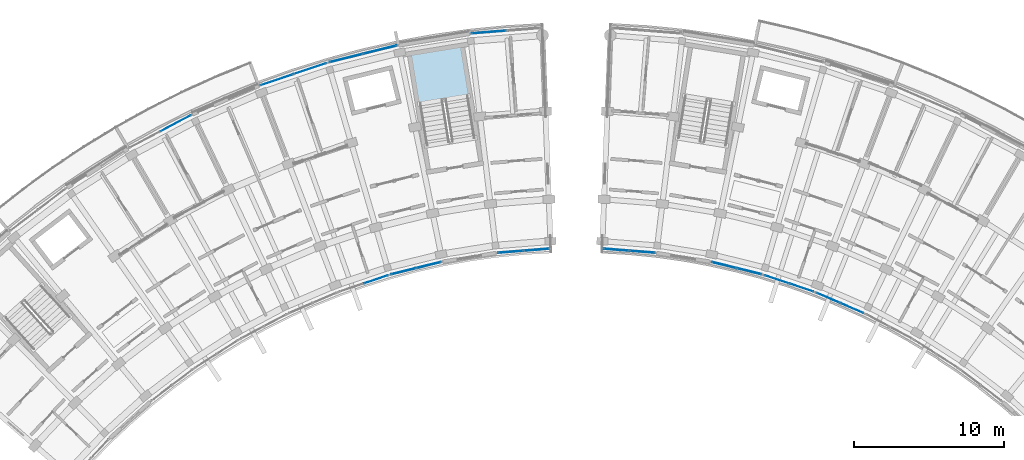
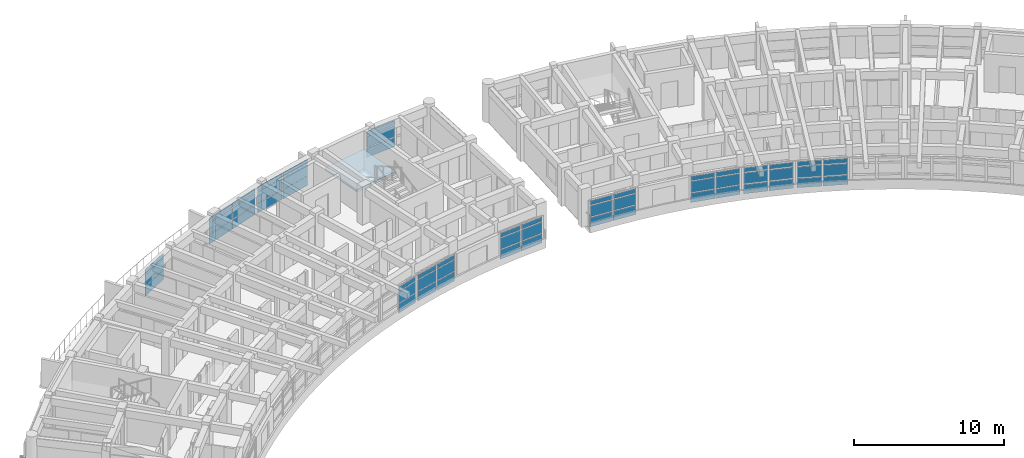
# One storey, part 21 of 54: 57 plates, 1 slab, 12 elements without a shape of their own.
"""IFC4 building model written with IfcOpenShell, lengths in metres."""

from ifc_helpers import new_model, si_unit, direction, frame, origin, origin_2d, place, context, subcontext, project, spatial, polyline, rectangle, outline, extrude, material, layer, layer_set, type_object, element, aggregate, save


model = new_model("IFC4")

# Units and contexts
model_context = context("Model", 3, precision=1e-05, world=origin(), true_north=direction((0.0, 1.0)))
body_context = subcontext(model_context, "Body", "Model", "MODEL_VIEW")
ifc_project = project(units=[si_unit("LENGTHUNIT", "METRE"), si_unit("AREAUNIT", "SQUARE_METRE"), si_unit("VOLUMEUNIT", "CUBIC_METRE"), si_unit("PLANEANGLEUNIT", "RADIAN"), si_unit("MASSUNIT", "GRAM", prefix="KILO")], contexts=[model_context])

# Site, building, storey
site_placement = place(None, origin())
site = spatial("IfcSite", under=ifc_project, at=site_placement, CompositionType="ELEMENT")
building_placement = place(site_placement, origin())
building = spatial("IfcBuilding", under=site, at=building_placement, Name="Zimvara Arc Housing Community", CompositionType="ELEMENT")
storey_placement = place(building_placement, frame((0.0, 0.0, 20.5)))
storey = spatial("IfcBuildingStorey", under=building, at=storey_placement, Name="L06", CompositionType="ELEMENT", Elevation=20.5)

# Curtain wall, plates
ifc_material_1 = material(Name="Anodised Aluminium AW-6063", Category="aluminium")
curtain_wall_type_1 = type_object("IfcCurtainWallType", Name="CW-SYS-04", PredefinedType="USERDEFINED", material=ifc_material_1)
curtain_wall_1_placement = place(storey_placement, origin())
curtain_wall_1 = element("IfcCurtainWall", 1, at=curtain_wall_1_placement, inside=storey, type_object=curtain_wall_type_1, Name="cw:blkA:L06:in:b7", ObjectType="CURTAIN WALL", PredefinedType="USERDEFINED")
ifc_material_2 = material(Name="Pale-Gold Anodised Aluminium Spandrel Panel", Category="aluminium")
ifc_layer_1 = layer(ifc_material_2, 0.035888671875)
ifc_layer_set_1 = layer_set([ifc_layer_1], Name="Pale-Gold Anodised Aluminium Spandrel Panel")
plate_type_1 = type_object("IfcPlateType", Name="CWP-GLD-36", PredefinedType="CURTAIN_PANEL", material=ifc_layer_set_1)
plate_1_placement = place(storey_placement, frame((33.45068359375, 87.569580078125, 0.06494140625), z_axis=(0.0, 0.0, 1.0), x_axis=(0.970716537698, 0.240227815706, 0.0)))
plate_1 = element("IfcPlate", 2, at=plate_1_placement, type_object=plate_type_1, Name="CW04 panel 1.1", PredefinedType="CURTAIN_PANEL", context=body_context, shape_type="SweptSolid", body=[
    extrude(rectangle(XDim=1.664306640625, YDim=0.035888671875, at=origin_2d()), origin(), (0.0, 0.0, 1.0), 0.75244140625),
])
plate_2_placement = place(storey_placement, frame((33.45068359375, 87.569580078125, 0.88232421875), z_axis=(0.0, 0.0, 1.0), x_axis=(0.970716537698, 0.240227815706, 0.0)))
plate_2 = element("IfcPlate", 3, at=plate_2_placement, type_object=plate_type_1, Name="CW04 panel 1.2", PredefinedType="CURTAIN_PANEL", context=body_context, shape_type="SweptSolid", body=[
    extrude(rectangle(XDim=1.664306640625, YDim=0.035888671875, at=origin_2d()), origin(), (0.0, 0.0, 1.0), 0.885009765625),
])
plate_3_placement = place(storey_placement, frame((33.45068359375, 87.569580078125, 1.83251953125), z_axis=(0.0, 0.0, 1.0), x_axis=(0.970716537698, 0.240227815706, 0.0)))
plate_3 = element("IfcPlate", 4, at=plate_3_placement, type_object=plate_type_1, Name="CW04 panel 1.3", PredefinedType="CURTAIN_PANEL", context=body_context, shape_type="SweptSolid", body=[
    extrude(rectangle(XDim=1.664306640625, YDim=0.035888671875, at=origin_2d()), origin(), (0.0, 0.0, 1.0), 0.3525390625),
])
plate_4_placement = place(storey_placement, frame((35.12939453125, 87.98486328125, 0.06494140625), z_axis=(0.0, 0.0, 1.0), x_axis=(0.970716537698, 0.240227815706, 0.0)))
plate_4 = element("IfcPlate", 5, at=plate_4_placement, type_object=plate_type_1, Name="CW04 panel 2.1", PredefinedType="CURTAIN_PANEL", context=body_context, shape_type="SweptSolid", body=[
    extrude(rectangle(XDim=1.664306640625, YDim=0.035888671875, at=origin_2d()), origin(), (0.0, 0.0, 1.0), 0.75244140625),
])
plate_5_placement = place(storey_placement, frame((35.12939453125, 87.98486328125, 0.88232421875), z_axis=(0.0, 0.0, 1.0), x_axis=(0.970716537698, 0.240227815706, 0.0)))
plate_5 = element("IfcPlate", 6, at=plate_5_placement, type_object=plate_type_1, Name="CW04 panel 2.2", PredefinedType="CURTAIN_PANEL", context=body_context, shape_type="SweptSolid", body=[
    extrude(rectangle(XDim=1.664306640625, YDim=0.035888671875, at=origin_2d()), origin(), (0.0, 0.0, 1.0), 0.885009765625),
])
plate_6_placement = place(storey_placement, frame((35.12939453125, 87.98486328125, 1.83251953125), z_axis=(0.0, 0.0, 1.0), x_axis=(0.970716537698, 0.240227815706, 0.0)))
plate_6 = element("IfcPlate", 7, at=plate_6_placement, type_object=plate_type_1, Name="CW04 panel 2.3", PredefinedType="CURTAIN_PANEL", context=body_context, shape_type="SweptSolid", body=[
    extrude(rectangle(XDim=1.664306640625, YDim=0.035888671875, at=origin_2d()), origin(), (0.0, 0.0, 1.0), 0.3525390625),
])
aggregate(curtain_wall_1, [plate_1, plate_2, plate_3, plate_4, plate_5, plate_6])

curtain_wall_2_placement = place(storey_placement, origin())
curtain_wall_2 = element("IfcCurtainWall", 8, at=curtain_wall_2_placement, inside=storey, type_object=curtain_wall_type_1, Name="cw:blkB:L06:in:b2", ObjectType="CURTAIN WALL", PredefinedType="USERDEFINED")
plate_7_placement = place(storey_placement, frame((54.87060546875, 87.98486328125, 0.06494140625), z_axis=(0.0, 0.0, 1.0), x_axis=(0.970716537698, -0.240227815706, 0.0)))
plate_7 = element("IfcPlate", 9, at=plate_7_placement, type_object=plate_type_1, Name="CW04 panel 1.1", PredefinedType="CURTAIN_PANEL", context=body_context, shape_type="SweptSolid", body=[
    extrude(rectangle(XDim=1.664306640625, YDim=0.035888671875, at=origin_2d()), origin(), (0.0, 0.0, 1.0), 0.75244140625),
])
plate_8_placement = place(storey_placement, frame((54.87060546875, 87.98486328125, 0.88232421875), z_axis=(0.0, 0.0, 1.0), x_axis=(0.970716537698, -0.240227815706, 0.0)))
plate_8 = element("IfcPlate", 10, at=plate_8_placement, type_object=plate_type_1, Name="CW04 panel 1.2", PredefinedType="CURTAIN_PANEL", context=body_context, shape_type="SweptSolid", body=[
    extrude(rectangle(XDim=1.664306640625, YDim=0.035888671875, at=origin_2d()), origin(), (0.0, 0.0, 1.0), 0.885009765625),
])
plate_9_placement = place(storey_placement, frame((54.87060546875, 87.98486328125, 1.83251953125), z_axis=(0.0, 0.0, 1.0), x_axis=(0.970716537698, -0.240227815706, 0.0)))
plate_9 = element("IfcPlate", 11, at=plate_9_placement, type_object=plate_type_1, Name="CW04 panel 1.3", PredefinedType="CURTAIN_PANEL", context=body_context, shape_type="SweptSolid", body=[
    extrude(rectangle(XDim=1.664306640625, YDim=0.035888671875, at=origin_2d()), origin(), (0.0, 0.0, 1.0), 0.3525390625),
])
plate_10_placement = place(storey_placement, frame((56.54931640625, 87.569580078125, 0.06494140625), z_axis=(0.0, 0.0, 1.0), x_axis=(0.970716537698, -0.240227815706, 0.0)))
plate_10 = element("IfcPlate", 12, at=plate_10_placement, type_object=plate_type_1, Name="CW04 panel 2.1", PredefinedType="CURTAIN_PANEL", context=body_context, shape_type="SweptSolid", body=[
    extrude(rectangle(XDim=1.664306640625, YDim=0.035888671875, at=origin_2d()), origin(), (0.0, 0.0, 1.0), 0.75244140625),
])
plate_11_placement = place(storey_placement, frame((56.54931640625, 87.569580078125, 0.88232421875), z_axis=(0.0, 0.0, 1.0), x_axis=(0.970716537698, -0.240227815706, 0.0)))
plate_11 = element("IfcPlate", 13, at=plate_11_placement, type_object=plate_type_1, Name="CW04 panel 2.2", PredefinedType="CURTAIN_PANEL", context=body_context, shape_type="SweptSolid", body=[
    extrude(rectangle(XDim=1.664306640625, YDim=0.035888671875, at=origin_2d()), origin(), (0.0, 0.0, 1.0), 0.885009765625),
])
plate_12_placement = place(storey_placement, frame((56.54931640625, 87.569580078125, 1.83251953125), z_axis=(0.0, 0.0, 1.0), x_axis=(0.970716537698, -0.240227815706, 0.0)))
plate_12 = element("IfcPlate", 14, at=plate_12_placement, type_object=plate_type_1, Name="CW04 panel 2.3", PredefinedType="CURTAIN_PANEL", context=body_context, shape_type="SweptSolid", body=[
    extrude(rectangle(XDim=1.664306640625, YDim=0.035888671875, at=origin_2d()), origin(), (0.0, 0.0, 1.0), 0.3525390625),
])
aggregate(curtain_wall_2, [plate_7, plate_8, plate_9, plate_10, plate_11, plate_12])

ifc_material_3 = material(Name="Anodised Aluminium AW-6063", Category="aluminium")
curtain_wall_type_2 = type_object("IfcCurtainWallType", Name="CW-SYS-01", PredefinedType="USERDEFINED", material=ifc_material_3)
curtain_wall_3_placement = place(storey_placement, origin())
curtain_wall_3 = element("IfcCurtainWall", 15, at=curtain_wall_3_placement, inside=storey, type_object=curtain_wall_type_2, Name="cw:blkA:L06:out:b6", ObjectType="CURTAIN WALL", PredefinedType="USERDEFINED")
ifc_material_4 = material(Name="Solar Control Low-E Double Glazing", Category="glass")
ifc_layer_2 = layer(ifc_material_4, 0.02392578125)
ifc_layer_set_2 = layer_set([ifc_layer_2], Name="Solar Control Low-E Double Glazing")
plate_type_2 = type_object("IfcPlateType", Name="CWP-GLZ-24", PredefinedType="CURTAIN_PANEL", material=ifc_layer_set_2)
plate_13_placement = place(storey_placement, frame((24.990478515625, 100.36669921875, 0.06494140625), z_axis=(0.0, 0.0, 1.0), x_axis=(0.947879647164, 0.318628583921, 0.0)))
plate_13 = element("IfcPlate", 16, at=plate_13_placement, type_object=plate_type_2, Name="CW01 panel 1.1", PredefinedType="CURTAIN_PANEL", context=body_context, shape_type="SweptSolid", body=[
    extrude(rectangle(XDim=2.266845703125, YDim=0.02392578125, at=origin_2d()), origin(), (0.0, 0.0, 1.0), 0.75244140625),
])
plate_14_placement = place(storey_placement, frame((24.990478515625, 100.36669921875, 0.88232421875), z_axis=(0.0, 0.0, 1.0), x_axis=(0.947879647164, 0.318628583921, 0.0)))
plate_14 = element("IfcPlate", 17, at=plate_14_placement, type_object=plate_type_2, Name="CW01 panel 1.2", PredefinedType="CURTAIN_PANEL", context=body_context, shape_type="SweptSolid", body=[
    extrude(rectangle(XDim=2.266845703125, YDim=0.02392578125, at=origin_2d()), origin(), (0.0, 0.0, 1.0), 0.885009765625),
])
plate_15_placement = place(storey_placement, frame((24.990478515625, 100.36669921875, 1.83251953125), z_axis=(0.0, 0.0, 1.0), x_axis=(0.947879647164, 0.318628583921, 0.0)))
plate_15 = element("IfcPlate", 18, at=plate_15_placement, type_object=plate_type_2, Name="CW01 panel 1.3", PredefinedType="CURTAIN_PANEL", context=body_context, shape_type="SweptSolid", body=[
    extrude(rectangle(XDim=2.266845703125, YDim=0.02392578125, at=origin_2d()), origin(), (0.0, 0.0, 1.0), 0.3525390625),
])
plate_16_placement = place(storey_placement, frame((27.200927734375, 101.109619140625, 0.06494140625), z_axis=(0.0, 0.0, 1.0), x_axis=(0.947879647164, 0.318628583921, 0.0)))
plate_16 = element("IfcPlate", 19, at=plate_16_placement, type_object=plate_type_2, Name="CW01 panel 2.1", PredefinedType="CURTAIN_PANEL", context=body_context, shape_type="SweptSolid", body=[
    extrude(rectangle(XDim=2.266845703125, YDim=0.02392578125, at=origin_2d()), origin(), (0.0, 0.0, 1.0), 0.75244140625),
])
plate_17_placement = place(storey_placement, frame((27.200927734375, 101.109619140625, 0.88232421875), z_axis=(0.0, 0.0, 1.0), x_axis=(0.947879647164, 0.318628583921, 0.0)))
plate_17 = element("IfcPlate", 20, at=plate_17_placement, type_object=plate_type_2, Name="CW01 panel 2.2", PredefinedType="CURTAIN_PANEL", context=body_context, shape_type="SweptSolid", body=[
    extrude(rectangle(XDim=2.266845703125, YDim=0.02392578125, at=origin_2d()), origin(), (0.0, 0.0, 1.0), 0.885009765625),
])
plate_18_placement = place(storey_placement, frame((27.200927734375, 101.109619140625, 1.83251953125), z_axis=(0.0, 0.0, 1.0), x_axis=(0.947879647164, 0.318628583921, 0.0)))
plate_18 = element("IfcPlate", 21, at=plate_18_placement, type_object=plate_type_2, Name="CW01 panel 2.3", PredefinedType="CURTAIN_PANEL", context=body_context, shape_type="SweptSolid", body=[
    extrude(rectangle(XDim=2.266845703125, YDim=0.02392578125, at=origin_2d()), origin(), (0.0, 0.0, 1.0), 0.3525390625),
])
aggregate(curtain_wall_3, [plate_13, plate_14, plate_15, plate_16, plate_17, plate_18])

ifc_material_5 = material(Name="Anodised Aluminium AW-6063", Category="aluminium")
curtain_wall_type_3 = type_object("IfcCurtainWallType", Name="CW-SYS-05", PredefinedType="USERDEFINED", material=ifc_material_5)
curtain_wall_4_placement = place(storey_placement, origin())
curtain_wall_4 = element("IfcCurtainWall", 22, at=curtain_wall_4_placement, inside=storey, type_object=curtain_wall_type_3, Name="cw:blkA:L06:out:b9", ObjectType="CURTAIN WALL", PredefinedType="USERDEFINED")
plate_19_placement = place(storey_placement, frame((39.141357421875, 103.552001953125, 0.06494140625), z_axis=(0.0, 0.0, 1.0), x_axis=(0.996862418963, 0.079153759607, 0.0)))
plate_19 = element("IfcPlate", 23, at=plate_19_placement, type_object=plate_type_2, Name="CW05 panel 1.1", PredefinedType="CURTAIN_PANEL", context=body_context, shape_type="SweptSolid", body=[
    extrude(rectangle(XDim=2.266845703125, YDim=0.02392578125, at=origin_2d()), origin(), (0.0, 0.0, 1.0), 0.75244140625),
])
plate_20_placement = place(storey_placement, frame((39.141357421875, 103.552001953125, 0.88232421875), z_axis=(0.0, 0.0, 1.0), x_axis=(0.996862418963, 0.079153759607, 0.0)))
plate_20 = element("IfcPlate", 24, at=plate_20_placement, type_object=plate_type_2, Name="CW05 panel 1.2", PredefinedType="CURTAIN_PANEL", context=body_context, shape_type="SweptSolid", body=[
    extrude(rectangle(XDim=2.266845703125, YDim=0.02392578125, at=origin_2d()), origin(), (0.0, 0.0, 1.0), 0.885009765625),
])
plate_21_placement = place(storey_placement, frame((39.141357421875, 103.552001953125, 1.83251953125), z_axis=(0.0, 0.0, 1.0), x_axis=(0.996862418963, 0.079153759607, 0.0)))
plate_21 = element("IfcPlate", 25, at=plate_21_placement, type_object=plate_type_2, Name="CW05 panel 1.3", PredefinedType="CURTAIN_PANEL", context=body_context, shape_type="SweptSolid", body=[
    extrude(rectangle(XDim=2.266845703125, YDim=0.02392578125, at=origin_2d()), origin(), (0.0, 0.0, 1.0), 0.3525390625),
])
aggregate(curtain_wall_4, [plate_19, plate_20, plate_21])

curtain_wall_5_placement = place(storey_placement, origin())
curtain_wall_5 = element("IfcCurtainWall", 26, at=curtain_wall_5_placement, inside=storey, type_object=curtain_wall_type_3, Name="cw:blkB:L06:in:b3", ObjectType="CURTAIN WALL", PredefinedType="USERDEFINED")
plate_22_placement = place(storey_placement, frame((58.3857421875, 87.03466796875, 0.06494140625), z_axis=(0.0, 0.0, 1.0), x_axis=(0.94787908732, -0.318630249383, 0.0)))
plate_22 = element("IfcPlate", 27, at=plate_22_placement, type_object=plate_type_2, Name="CW05 panel 1.1", PredefinedType="CURTAIN_PANEL", context=body_context, shape_type="SweptSolid", body=[
    extrude(rectangle(XDim=1.664306640625, YDim=0.02392578125, at=origin_2d()), origin(), (0.0, 0.0, 1.0), 0.75244140625),
])
plate_23_placement = place(storey_placement, frame((58.3857421875, 87.03466796875, 0.88232421875), z_axis=(0.0, 0.0, 1.0), x_axis=(0.94787908732, -0.318630249383, 0.0)))
plate_23 = element("IfcPlate", 28, at=plate_23_placement, type_object=plate_type_2, Name="CW05 panel 1.2", PredefinedType="CURTAIN_PANEL", context=body_context, shape_type="SweptSolid", body=[
    extrude(rectangle(XDim=1.664306640625, YDim=0.02392578125, at=origin_2d()), origin(), (0.0, 0.0, 1.0), 0.885009765625),
])
plate_24_placement = place(storey_placement, frame((58.3857421875, 87.03466796875, 1.83251953125), z_axis=(0.0, 0.0, 1.0), x_axis=(0.94787908732, -0.318630249383, 0.0)))
plate_24 = element("IfcPlate", 29, at=plate_24_placement, type_object=plate_type_2, Name="CW05 panel 1.3", PredefinedType="CURTAIN_PANEL", context=body_context, shape_type="SweptSolid", body=[
    extrude(rectangle(XDim=1.664306640625, YDim=0.02392578125, at=origin_2d()), origin(), (0.0, 0.0, 1.0), 0.3525390625),
])
plate_25_placement = place(storey_placement, frame((60.02490234375, 86.483642578125, 0.06494140625), z_axis=(0.0, 0.0, 1.0), x_axis=(0.94787908732, -0.318630249383, 0.0)))
plate_25 = element("IfcPlate", 30, at=plate_25_placement, type_object=plate_type_2, Name="CW05 panel 2.1", PredefinedType="CURTAIN_PANEL", context=body_context, shape_type="SweptSolid", body=[
    extrude(rectangle(XDim=1.664306640625, YDim=0.02392578125, at=origin_2d()), origin(), (0.0, 0.0, 1.0), 0.75244140625),
])
plate_26_placement = place(storey_placement, frame((60.02490234375, 86.483642578125, 0.88232421875), z_axis=(0.0, 0.0, 1.0), x_axis=(0.94787908732, -0.318630249383, 0.0)))
plate_26 = element("IfcPlate", 31, at=plate_26_placement, type_object=plate_type_2, Name="CW05 panel 2.2", PredefinedType="CURTAIN_PANEL", context=body_context, shape_type="SweptSolid", body=[
    extrude(rectangle(XDim=1.664306640625, YDim=0.02392578125, at=origin_2d()), origin(), (0.0, 0.0, 1.0), 0.885009765625),
])
plate_27_placement = place(storey_placement, frame((60.02490234375, 86.483642578125, 1.83251953125), z_axis=(0.0, 0.0, 1.0), x_axis=(0.94787908732, -0.318630249383, 0.0)))
plate_27 = element("IfcPlate", 32, at=plate_27_placement, type_object=plate_type_2, Name="CW05 panel 2.3", PredefinedType="CURTAIN_PANEL", context=body_context, shape_type="SweptSolid", body=[
    extrude(rectangle(XDim=1.664306640625, YDim=0.02392578125, at=origin_2d()), origin(), (0.0, 0.0, 1.0), 0.3525390625),
])
aggregate(curtain_wall_5, [plate_22, plate_23, plate_24, plate_25, plate_26, plate_27])

ifc_material_6 = material(Name="Anodised Aluminium AW-6063", Category="aluminium")
curtain_wall_type_4 = type_object("IfcCurtainWallType", Name="CW-SYS-06", PredefinedType="USERDEFINED", material=ifc_material_6)
curtain_wall_6_placement = place(storey_placement, origin())
curtain_wall_6 = element("IfcCurtainWall", 33, at=curtain_wall_6_placement, inside=storey, type_object=curtain_wall_type_4, Name="cw:blkA:L06:out:b4", ObjectType="CURTAIN WALL", PredefinedType="USERDEFINED")
ifc_material_7 = material(Name="Solar Control Low-E Double Glazing", Category="glass")
ifc_layer_3 = layer(ifc_material_7, 0.028076171875)
ifc_layer_set_3 = layer_set([ifc_layer_3], Name="Solar Control Low-E Double Glazing")
plate_type_3 = type_object("IfcPlateType", Name="CWP-GLZ-28", PredefinedType="CURTAIN_PANEL", material=ifc_layer_set_3)
plate_28_placement = place(storey_placement, frame((18.23095703125, 97.461181640625, 0.06494140625), z_axis=(0.0, 0.0, 1.0), x_axis=(0.883438614651, 0.468546917761, 0.0)))
plate_28 = element("IfcPlate", 34, at=plate_28_placement, type_object=plate_type_3, Name="CW06 panel 2.1", PredefinedType="CURTAIN_PANEL", context=body_context, shape_type="SweptSolid", body=[
    extrude(rectangle(XDim=2.266845703125, YDim=0.028076171875, at=origin_2d()), origin(), (0.0, 0.0, 1.0), 0.75244140625),
])
plate_29_placement = place(storey_placement, frame((18.23095703125, 97.461181640625, 0.88232421875), z_axis=(0.0, 0.0, 1.0), x_axis=(0.883438614651, 0.468546917761, 0.0)))
plate_29 = element("IfcPlate", 35, at=plate_29_placement, type_object=plate_type_3, Name="CW06 panel 2.2", PredefinedType="CURTAIN_PANEL", context=body_context, shape_type="SweptSolid", body=[
    extrude(rectangle(XDim=2.266845703125, YDim=0.028076171875, at=origin_2d()), origin(), (0.0, 0.0, 1.0), 0.885009765625),
])
plate_30_placement = place(storey_placement, frame((18.23095703125, 97.461181640625, 1.83251953125), z_axis=(0.0, 0.0, 1.0), x_axis=(0.883438614651, 0.468546917761, 0.0)))
plate_30 = element("IfcPlate", 36, at=plate_30_placement, type_object=plate_type_3, Name="CW06 panel 2.3", PredefinedType="CURTAIN_PANEL", context=body_context, shape_type="SweptSolid", body=[
    extrude(rectangle(XDim=2.266845703125, YDim=0.028076171875, at=origin_2d()), origin(), (0.0, 0.0, 1.0), 0.3525390625),
])
aggregate(curtain_wall_6, [plate_28, plate_29, plate_30])

ifc_material_8 = material(Name="Anodised Aluminium AW-6063", Category="aluminium")
curtain_wall_type_5 = type_object("IfcCurtainWallType", Name="CW-SYS-02", PredefinedType="USERDEFINED", material=ifc_material_8)
curtain_wall_7_placement = place(storey_placement, origin())
curtain_wall_7 = element("IfcCurtainWall", 37, at=curtain_wall_7_placement, inside=storey, type_object=curtain_wall_type_5, Name="cw:blkA:L06:in:b6", ObjectType="CURTAIN WALL", PredefinedType="USERDEFINED")
plate_31_placement = place(storey_placement, frame((31.6142578125, 87.03466796875, 0.06494140625), z_axis=(0.0, 0.0, 1.0), x_axis=(0.94787908732, 0.318630249383, 0.0)))
plate_31 = element("IfcPlate", 38, at=plate_31_placement, type_object=plate_type_3, Name="CW02 panel 2.1", PredefinedType="CURTAIN_PANEL", context=body_context, shape_type="SweptSolid", body=[
    extrude(rectangle(XDim=1.664306640625, YDim=0.028076171875, at=origin_2d()), origin(), (0.0, 0.0, 1.0), 0.75244140625),
])
plate_32_placement = place(storey_placement, frame((31.6142578125, 87.03466796875, 0.88232421875), z_axis=(0.0, 0.0, 1.0), x_axis=(0.94787908732, 0.318630249383, 0.0)))
plate_32 = element("IfcPlate", 39, at=plate_32_placement, type_object=plate_type_3, Name="CW02 panel 2.2", PredefinedType="CURTAIN_PANEL", context=body_context, shape_type="SweptSolid", body=[
    extrude(rectangle(XDim=1.664306640625, YDim=0.028076171875, at=origin_2d()), origin(), (0.0, 0.0, 1.0), 0.885009765625),
])
plate_33_placement = place(storey_placement, frame((31.6142578125, 87.03466796875, 1.83251953125), z_axis=(0.0, 0.0, 1.0), x_axis=(0.94787908732, 0.318630249383, 0.0)))
plate_33 = element("IfcPlate", 40, at=plate_33_placement, type_object=plate_type_3, Name="CW02 panel 2.3", PredefinedType="CURTAIN_PANEL", context=body_context, shape_type="SweptSolid", body=[
    extrude(rectangle(XDim=1.664306640625, YDim=0.028076171875, at=origin_2d()), origin(), (0.0, 0.0, 1.0), 0.3525390625),
])
aggregate(curtain_wall_7, [plate_31, plate_32, plate_33])

curtain_wall_8_placement = place(storey_placement, origin())
curtain_wall_8 = element("IfcCurtainWall", 41, at=curtain_wall_8_placement, inside=storey, type_object=curtain_wall_type_4, Name="cw:blkA:L06:in:b9", ObjectType="CURTAIN WALL", PredefinedType="USERDEFINED")
plate_34_placement = place(storey_placement, frame((40.609130859375, 88.87451171875, 0.06494140625), z_axis=(0.0, 0.0, 1.0), x_axis=(0.996862343506, 0.079154709897, 0.0)))
plate_34 = element("IfcPlate", 42, at=plate_34_placement, type_object=plate_type_3, Name="CW06 panel 1.1", PredefinedType="CURTAIN_PANEL", context=body_context, shape_type="SweptSolid", body=[
    extrude(rectangle(XDim=1.664306640625, YDim=0.028076171875, at=origin_2d()), origin(), (0.0, 0.0, 1.0), 0.75244140625),
])
plate_35_placement = place(storey_placement, frame((40.609130859375, 88.87451171875, 0.88232421875), z_axis=(0.0, 0.0, 1.0), x_axis=(0.996862343506, 0.079154709897, 0.0)))
plate_35 = element("IfcPlate", 43, at=plate_35_placement, type_object=plate_type_3, Name="CW06 panel 1.2", PredefinedType="CURTAIN_PANEL", context=body_context, shape_type="SweptSolid", body=[
    extrude(rectangle(XDim=1.664306640625, YDim=0.028076171875, at=origin_2d()), origin(), (0.0, 0.0, 1.0), 0.885009765625),
])
plate_36_placement = place(storey_placement, frame((40.609130859375, 88.87451171875, 1.83251953125), z_axis=(0.0, 0.0, 1.0), x_axis=(0.996862343506, 0.079154709897, 0.0)))
plate_36 = element("IfcPlate", 44, at=plate_36_placement, type_object=plate_type_3, Name="CW06 panel 1.3", PredefinedType="CURTAIN_PANEL", context=body_context, shape_type="SweptSolid", body=[
    extrude(rectangle(XDim=1.664306640625, YDim=0.028076171875, at=origin_2d()), origin(), (0.0, 0.0, 1.0), 0.3525390625),
])
plate_37_placement = place(storey_placement, frame((42.3330078125, 89.01123046875, 0.06494140625), z_axis=(0.0, 0.0, 1.0), x_axis=(0.996862343506, 0.079154709897, 0.0)))
plate_37 = element("IfcPlate", 45, at=plate_37_placement, type_object=plate_type_3, Name="CW06 panel 2.1", PredefinedType="CURTAIN_PANEL", context=body_context, shape_type="SweptSolid", body=[
    extrude(rectangle(XDim=1.664306640625, YDim=0.028076171875, at=origin_2d()), origin(), (0.0, 0.0, 1.0), 0.75244140625),
])
plate_38_placement = place(storey_placement, frame((42.3330078125, 89.01123046875, 0.88232421875), z_axis=(0.0, 0.0, 1.0), x_axis=(0.996862343506, 0.079154709897, 0.0)))
plate_38 = element("IfcPlate", 46, at=plate_38_placement, type_object=plate_type_3, Name="CW06 panel 2.2", PredefinedType="CURTAIN_PANEL", context=body_context, shape_type="SweptSolid", body=[
    extrude(rectangle(XDim=1.664306640625, YDim=0.028076171875, at=origin_2d()), origin(), (0.0, 0.0, 1.0), 0.885009765625),
])
plate_39_placement = place(storey_placement, frame((42.3330078125, 89.01123046875, 1.83251953125), z_axis=(0.0, 0.0, 1.0), x_axis=(0.996862343506, 0.079154709897, 0.0)))
plate_39 = element("IfcPlate", 47, at=plate_39_placement, type_object=plate_type_3, Name="CW06 panel 2.3", PredefinedType="CURTAIN_PANEL", context=body_context, shape_type="SweptSolid", body=[
    extrude(rectangle(XDim=1.664306640625, YDim=0.028076171875, at=origin_2d()), origin(), (0.0, 0.0, 1.0), 0.3525390625),
])
aggregate(curtain_wall_8, [plate_34, plate_35, plate_36, plate_37, plate_38, plate_39])

curtain_wall_9_placement = place(storey_placement, origin())
curtain_wall_9 = element("IfcCurtainWall", 48, at=curtain_wall_9_placement, inside=storey, type_object=curtain_wall_type_5, Name="cw:blkB:L06:in:b0", ObjectType="CURTAIN WALL", PredefinedType="USERDEFINED")
plate_40_placement = place(storey_placement, frame((47.6669921875, 89.01123046875, 0.06494140625), z_axis=(0.0, 0.0, 1.0), x_axis=(0.996862343506, -0.079154709897, 0.0)))
plate_40 = element("IfcPlate", 49, at=plate_40_placement, type_object=plate_type_3, Name="CW02 panel 1.1", PredefinedType="CURTAIN_PANEL", context=body_context, shape_type="SweptSolid", body=[
    extrude(rectangle(XDim=1.664306640625, YDim=0.028076171875, at=origin_2d()), origin(), (0.0, 0.0, 1.0), 0.75244140625),
])
plate_41_placement = place(storey_placement, frame((47.6669921875, 89.01123046875, 0.88232421875), z_axis=(0.0, 0.0, 1.0), x_axis=(0.996862343506, -0.079154709897, 0.0)))
plate_41 = element("IfcPlate", 50, at=plate_41_placement, type_object=plate_type_3, Name="CW02 panel 1.2", PredefinedType="CURTAIN_PANEL", context=body_context, shape_type="SweptSolid", body=[
    extrude(rectangle(XDim=1.664306640625, YDim=0.028076171875, at=origin_2d()), origin(), (0.0, 0.0, 1.0), 0.885009765625),
])
plate_42_placement = place(storey_placement, frame((47.6669921875, 89.01123046875, 1.83251953125), z_axis=(0.0, 0.0, 1.0), x_axis=(0.996862343506, -0.079154709897, 0.0)))
plate_42 = element("IfcPlate", 51, at=plate_42_placement, type_object=plate_type_3, Name="CW02 panel 1.3", PredefinedType="CURTAIN_PANEL", context=body_context, shape_type="SweptSolid", body=[
    extrude(rectangle(XDim=1.664306640625, YDim=0.028076171875, at=origin_2d()), origin(), (0.0, 0.0, 1.0), 0.3525390625),
])
plate_43_placement = place(storey_placement, frame((49.390869140625, 88.87451171875, 0.06494140625), z_axis=(0.0, 0.0, 1.0), x_axis=(0.996862343506, -0.079154709897, 0.0)))
plate_43 = element("IfcPlate", 52, at=plate_43_placement, type_object=plate_type_3, Name="CW02 panel 2.1", PredefinedType="CURTAIN_PANEL", context=body_context, shape_type="SweptSolid", body=[
    extrude(rectangle(XDim=1.664306640625, YDim=0.028076171875, at=origin_2d()), origin(), (0.0, 0.0, 1.0), 0.75244140625),
])
plate_44_placement = place(storey_placement, frame((49.390869140625, 88.87451171875, 0.88232421875), z_axis=(0.0, 0.0, 1.0), x_axis=(0.996862343506, -0.079154709897, 0.0)))
plate_44 = element("IfcPlate", 53, at=plate_44_placement, type_object=plate_type_3, Name="CW02 panel 2.2", PredefinedType="CURTAIN_PANEL", context=body_context, shape_type="SweptSolid", body=[
    extrude(rectangle(XDim=1.664306640625, YDim=0.028076171875, at=origin_2d()), origin(), (0.0, 0.0, 1.0), 0.885009765625),
])
plate_45_placement = place(storey_placement, frame((49.390869140625, 88.87451171875, 1.83251953125), z_axis=(0.0, 0.0, 1.0), x_axis=(0.996862343506, -0.079154709897, 0.0)))
plate_45 = element("IfcPlate", 54, at=plate_45_placement, type_object=plate_type_3, Name="CW02 panel 2.3", PredefinedType="CURTAIN_PANEL", context=body_context, shape_type="SweptSolid", body=[
    extrude(rectangle(XDim=1.664306640625, YDim=0.028076171875, at=origin_2d()), origin(), (0.0, 0.0, 1.0), 0.3525390625),
])
aggregate(curtain_wall_9, [plate_40, plate_41, plate_42, plate_43, plate_44, plate_45])

ifc_material_9 = material(Name="Anodised Aluminium AW-6063", Category="aluminium")
curtain_wall_type_6 = type_object("IfcCurtainWallType", Name="CW-SYS-03", PredefinedType="USERDEFINED", material=ifc_material_9)
curtain_wall_10_placement = place(storey_placement, origin())
curtain_wall_10 = element("IfcCurtainWall", 55, at=curtain_wall_10_placement, inside=storey, type_object=curtain_wall_type_6, Name="cw:blkA:L06:out:b7", ObjectType="CURTAIN WALL", PredefinedType="USERDEFINED")
ifc_material_10 = material(Name="Acoustic Laminated Solar Glazing", Category="glass")
ifc_layer_4 = layer(ifc_material_10, 0.031982421875)
ifc_layer_set_4 = layer_set([ifc_layer_4], Name="Acoustic Laminated Solar Glazing")
plate_type_4 = type_object("IfcPlateType", Name="CWP-GLZ-32", PredefinedType="CURTAIN_PANEL", material=ifc_layer_set_4)
plate_46_placement = place(storey_placement, frame((29.615234375, 101.81298828125, 0.06494140625), z_axis=(0.0, 0.0, 1.0), x_axis=(0.970716068627, 0.240229711131, 0.0)))
plate_46 = element("IfcPlate", 56, at=plate_46_placement, type_object=plate_type_4, Name="CW03 panel 1.1", PredefinedType="CURTAIN_PANEL", context=body_context, shape_type="SweptSolid", body=[
    extrude(rectangle(XDim=2.266845703125, YDim=0.031982421875, at=origin_2d()), origin(), (0.0, 0.0, 1.0), 0.75244140625),
])
plate_47_placement = place(storey_placement, frame((29.615234375, 101.81298828125, 0.88232421875), z_axis=(0.0, 0.0, 1.0), x_axis=(0.970716068627, 0.240229711131, 0.0)))
plate_47 = element("IfcPlate", 57, at=plate_47_placement, type_object=plate_type_4, Name="CW03 panel 1.2", PredefinedType="CURTAIN_PANEL", context=body_context, shape_type="SweptSolid", body=[
    extrude(rectangle(XDim=2.266845703125, YDim=0.031982421875, at=origin_2d()), origin(), (0.0, 0.0, 1.0), 0.885009765625),
])
plate_48_placement = place(storey_placement, frame((29.615234375, 101.81298828125, 1.83251953125), z_axis=(0.0, 0.0, 1.0), x_axis=(0.970716068627, 0.240229711131, 0.0)))
plate_48 = element("IfcPlate", 58, at=plate_48_placement, type_object=plate_type_4, Name="CW03 panel 1.3", PredefinedType="CURTAIN_PANEL", context=body_context, shape_type="SweptSolid", body=[
    extrude(rectangle(XDim=2.266845703125, YDim=0.031982421875, at=origin_2d()), origin(), (0.0, 0.0, 1.0), 0.3525390625),
])
plate_49_placement = place(storey_placement, frame((31.87890625, 102.373291015625, 0.06494140625), z_axis=(0.0, 0.0, 1.0), x_axis=(0.970716068627, 0.240229711131, 0.0)))
plate_49 = element("IfcPlate", 59, at=plate_49_placement, type_object=plate_type_4, Name="CW03 panel 2.1", PredefinedType="CURTAIN_PANEL", context=body_context, shape_type="SweptSolid", body=[
    extrude(rectangle(XDim=2.266845703125, YDim=0.031982421875, at=origin_2d()), origin(), (0.0, 0.0, 1.0), 0.75244140625),
])
plate_50_placement = place(storey_placement, frame((31.87890625, 102.373291015625, 0.88232421875), z_axis=(0.0, 0.0, 1.0), x_axis=(0.970716068627, 0.240229711131, 0.0)))
plate_50 = element("IfcPlate", 60, at=plate_50_placement, type_object=plate_type_4, Name="CW03 panel 2.2", PredefinedType="CURTAIN_PANEL", context=body_context, shape_type="SweptSolid", body=[
    extrude(rectangle(XDim=2.266845703125, YDim=0.031982421875, at=origin_2d()), origin(), (0.0, 0.0, 1.0), 0.885009765625),
])
plate_51_placement = place(storey_placement, frame((31.87890625, 102.373291015625, 1.83251953125), z_axis=(0.0, 0.0, 1.0), x_axis=(0.970716068627, 0.240229711131, 0.0)))
plate_51 = element("IfcPlate", 61, at=plate_51_placement, type_object=plate_type_4, Name="CW03 panel 2.3", PredefinedType="CURTAIN_PANEL", context=body_context, shape_type="SweptSolid", body=[
    extrude(rectangle(XDim=2.266845703125, YDim=0.031982421875, at=origin_2d()), origin(), (0.0, 0.0, 1.0), 0.3525390625),
])
aggregate(curtain_wall_10, [plate_46, plate_47, plate_48, plate_49, plate_50, plate_51])

ifc_material_11 = material(Name="Anodised Aluminium AW-6063", Category="aluminium")
curtain_wall_type_7 = type_object("IfcCurtainWallType", Name="CW-SYS-07", PredefinedType="USERDEFINED", material=ifc_material_11)
curtain_wall_11_placement = place(storey_placement, origin())
curtain_wall_11 = element("IfcCurtainWall", 62, at=curtain_wall_11_placement, inside=storey, type_object=curtain_wall_type_7, Name="cw:blkB:L06:in:b4", ObjectType="CURTAIN WALL", PredefinedType="USERDEFINED")
plate_52_placement = place(storey_placement, frame((61.8115234375, 85.80078125, 0.06494140625), z_axis=(0.0, 0.0, 1.0), x_axis=(0.918722178415, -0.394904493375, 0.0)))
plate_52 = element("IfcPlate", 63, at=plate_52_placement, type_object=plate_type_4, Name="CW07 panel 1.1", PredefinedType="CURTAIN_PANEL", context=body_context, shape_type="SweptSolid", body=[
    extrude(rectangle(XDim=1.664306640625, YDim=0.031982421875, at=origin_2d()), origin(), (0.0, 0.0, 1.0), 0.75244140625),
])
plate_53_placement = place(storey_placement, frame((61.8115234375, 85.80078125, 0.88232421875), z_axis=(0.0, 0.0, 1.0), x_axis=(0.918722178415, -0.394904493375, 0.0)))
plate_53 = element("IfcPlate", 64, at=plate_53_placement, type_object=plate_type_4, Name="CW07 panel 1.2", PredefinedType="CURTAIN_PANEL", context=body_context, shape_type="SweptSolid", body=[
    extrude(rectangle(XDim=1.664306640625, YDim=0.031982421875, at=origin_2d()), origin(), (0.0, 0.0, 1.0), 0.885009765625),
])
plate_54_placement = place(storey_placement, frame((61.8115234375, 85.80078125, 1.83251953125), z_axis=(0.0, 0.0, 1.0), x_axis=(0.918722178415, -0.394904493375, 0.0)))
plate_54 = element("IfcPlate", 65, at=plate_54_placement, type_object=plate_type_4, Name="CW07 panel 1.3", PredefinedType="CURTAIN_PANEL", context=body_context, shape_type="SweptSolid", body=[
    extrude(rectangle(XDim=1.664306640625, YDim=0.031982421875, at=origin_2d()), origin(), (0.0, 0.0, 1.0), 0.3525390625),
])
plate_55_placement = place(storey_placement, frame((63.400390625, 85.11767578125, 0.06494140625), z_axis=(0.0, 0.0, 1.0), x_axis=(0.918722178415, -0.394904493375, 0.0)))
plate_55 = element("IfcPlate", 66, at=plate_55_placement, type_object=plate_type_4, Name="CW07 panel 2.1", PredefinedType="CURTAIN_PANEL", context=body_context, shape_type="SweptSolid", body=[
    extrude(rectangle(XDim=1.664306640625, YDim=0.031982421875, at=origin_2d()), origin(), (0.0, 0.0, 1.0), 0.75244140625),
])
plate_56_placement = place(storey_placement, frame((63.400390625, 85.11767578125, 0.88232421875), z_axis=(0.0, 0.0, 1.0), x_axis=(0.918722178415, -0.394904493375, 0.0)))
plate_56 = element("IfcPlate", 67, at=plate_56_placement, type_object=plate_type_4, Name="CW07 panel 2.2", PredefinedType="CURTAIN_PANEL", context=body_context, shape_type="SweptSolid", body=[
    extrude(rectangle(XDim=1.664306640625, YDim=0.031982421875, at=origin_2d()), origin(), (0.0, 0.0, 1.0), 0.885009765625),
])
plate_57_placement = place(storey_placement, frame((63.400390625, 85.11767578125, 1.83251953125), z_axis=(0.0, 0.0, 1.0), x_axis=(0.918722178415, -0.394904493375, 0.0)))
plate_57 = element("IfcPlate", 68, at=plate_57_placement, type_object=plate_type_4, Name="CW07 panel 2.3", PredefinedType="CURTAIN_PANEL", context=body_context, shape_type="SweptSolid", body=[
    extrude(rectangle(XDim=1.664306640625, YDim=0.031982421875, at=origin_2d()), origin(), (0.0, 0.0, 1.0), 0.3525390625),
])
aggregate(curtain_wall_11, [plate_52, plate_53, plate_54, plate_55, plate_56, plate_57])

# Stair, slab
ifc_material_12 = material(Name="Concrete C35/45", Category="concrete")
stair_type = type_object("IfcStairType", Name="STR-DL-315-310", PredefinedType="HALF_TURN_STAIR", material=ifc_material_12)
stair_placement = place(storey_placement, origin())
stair = element("IfcStair", 69, at=stair_placement, inside=storey, type_object=stair_type, Name="L06 Block A Exit Stair 2", PredefinedType="HALF_TURN_STAIR")
ifc_material_13 = material(Name="Concrete C35/45", Category="concrete")
ifc_layer_5 = layer(ifc_material_13, 0.199951171875)
ifc_layer_set_5 = layer_set([ifc_layer_5], Name="Concrete C35/45")
slab_type = type_object("IfcSlabType", Name="SLB-STAIR-LND-200", PredefinedType="LANDING", material=ifc_layer_set_5)
slab_placement = place(storey_placement, frame((0.0, 0.0, 1.35009765625)))
slab = element("IfcSlab", 70, at=slab_placement, type_object=slab_type, Name="ST-A2 landing 1", PredefinedType="LANDING", context=body_context, shape_type="SweptSolid", body=[
    extrude(outline(polyline([(37.814697265625, 99.2509765625), (37.278564453125, 102.552978515625), (33.962158203125, 102.014404296875), (34.498046875, 98.712646484375), (37.814697265625, 99.2509765625)])), origin(), (0.0, 0.0, 1.0), 0.199951171875),
])
aggregate(stair, [slab])

save(model, "model.ifc")
